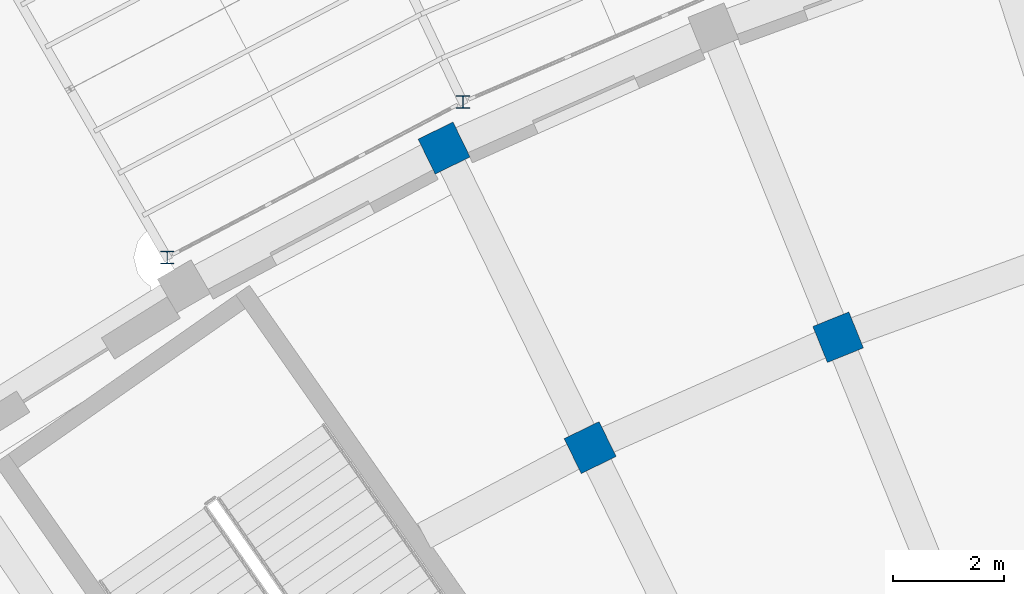
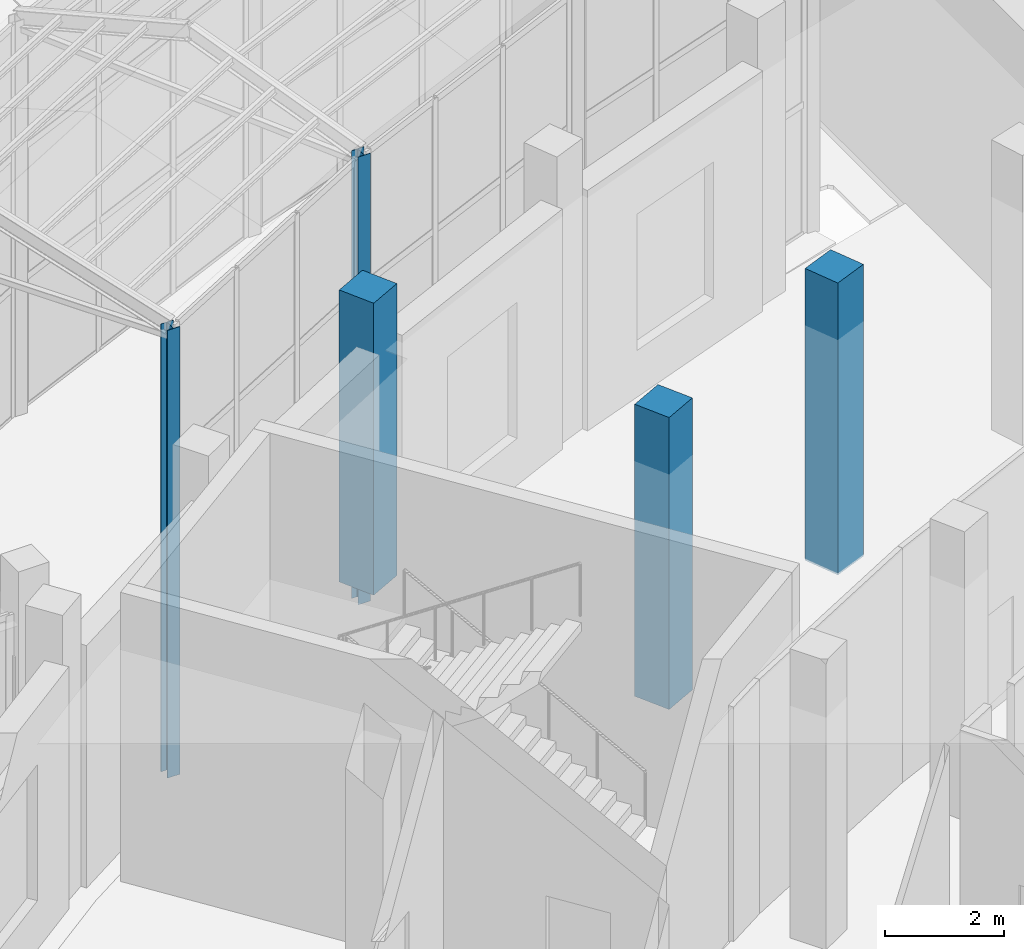
# One storey, part 2 of 155: 5 columns.
"""IFC4 building model written with IfcOpenShell, lengths in metres."""

from ifc_helpers import new_model, si_unit, direction, frame, origin, origin_2d, place, context, subcontext, project, spatial, rectangle, i_section, extrude, material, material_profile, profile_set, type_object, element, save


model = new_model("IFC4")

# Units and contexts
model_context = context("Model", 3, precision=1e-05, world=origin(), true_north=direction((0.0, 1.0)))
body_context = subcontext(model_context, "Body", "Model", "MODEL_VIEW")
ifc_project = project(units=[si_unit("LENGTHUNIT", "METRE"), si_unit("AREAUNIT", "SQUARE_METRE"), si_unit("VOLUMEUNIT", "CUBIC_METRE"), si_unit("PLANEANGLEUNIT", "RADIAN"), si_unit("MASSUNIT", "GRAM", prefix="KILO")], contexts=[model_context])

# Site, building, storey
site_placement = place(None, origin())
site = spatial("IfcSite", under=ifc_project, at=site_placement, CompositionType="ELEMENT")
building_placement = place(site_placement, origin())
building = spatial("IfcBuilding", under=site, at=building_placement, Name="Lunette Opera House", CompositionType="ELEMENT")
storey_placement = place(building_placement, origin())
storey = spatial("IfcBuildingStorey", under=building, at=storey_placement, Name="L00", CompositionType="ELEMENT", Elevation=0.0)

# Columns
ifc_material_1 = material(Name="Concrete C35/45", Category="concrete")
ifc_material_profile_1 = material_profile(ifc_material_1, rectangle(XDim=0.699951171875, YDim=0.699951171875, at=origin_2d()), Name="RC COLUMN 700X700")
ifc_profile_set_1 = profile_set([ifc_material_profile_1], Name="Concrete C35/45")
column_type_1 = type_object("IfcColumnType", Name="RC COLUMN 700X700", PredefinedType="COLUMN", material=ifc_profile_set_1)
for number, where, z_axis, x_axis, name in (
    (1, (65.31396484375, 62.916015625, 0.0), (0.0, 0.0, 1.0), (0.898794046299, 0.438371146789, 0.0), "col-FC-L00-AR-M2-RL-07"),
    (2, (69.778076171875, 64.903076171875, 0.0), (0.0, 0.0, 1.0), (0.927183854567, 0.374606593416, 0.0), "col-FC-L00-AR-M2-RL-08"),
    (3, (62.68408203125, 68.30810546875, 0.0), (0.0, 0.0, 1.0), (0.898794046299, 0.438371146789, 0.0), "col-FC-L00-AR-C-RL-07"),
):
    element("IfcColumn", number, at=place(storey_placement, frame(where, z_axis=z_axis, x_axis=x_axis)), inside=storey, type_object=column_type_1, Name=name, PredefinedType="COLUMN", context=body_context, shape_type="SweptSolid", body=[
        extrude(rectangle(XDim=0.699951171875, YDim=0.699951171875, at=origin_2d()), origin(), (0.0, 0.0, 1.0), 6.0),
    ])
ifc_material_2 = material(Name="Steel S355", Category="steel")
ifc_material_profile_2 = material_profile(ifc_material_2, i_section(OverallWidth=0.239990234375, OverallDepth=0.22998046875, WebThickness=0.007568359375, FlangeThickness=0.011962890625, FilletRadius=0.02099609375, at=origin_2d()), Name="HEA 240")
ifc_profile_set_2 = profile_set([ifc_material_profile_2], Name="Steel S355")
column_type_2 = type_object("IfcColumnType", Name="STEEL COLUMN HEA 240", PredefinedType="COLUMN", material=ifc_profile_set_2)
for number, where, z_axis, x_axis, name in (
    (4, (57.699951171875, 66.337890625, -1.050048828125), (0.0, 0.0, 1.0), (1.0, 0.0, 0.0), "col-PP-L00-PC-WI01"),
    (5, (63.02294921875, 69.137939453125, -1.050048828125), (0.0, 0.0, 1.0), (1.0, 0.0, 0.0), "col-PP-L00-PC-WI02"),
):
    element("IfcColumn", number, at=place(storey_placement, frame(where, z_axis=z_axis, x_axis=x_axis)), inside=storey, type_object=column_type_2, Name=name, PredefinedType="COLUMN", context=body_context, shape_type="SweptSolid", body=[
        extrude(i_section(OverallWidth=0.239990234375, OverallDepth=0.22998046875, WebThickness=0.007568359375, FlangeThickness=0.011962890625, FilletRadius=0.02099609375, at=origin_2d()), origin(), (0.0, 0.0, 1.0), 9.199951171875),
    ])

save(model, "model.ifc")
